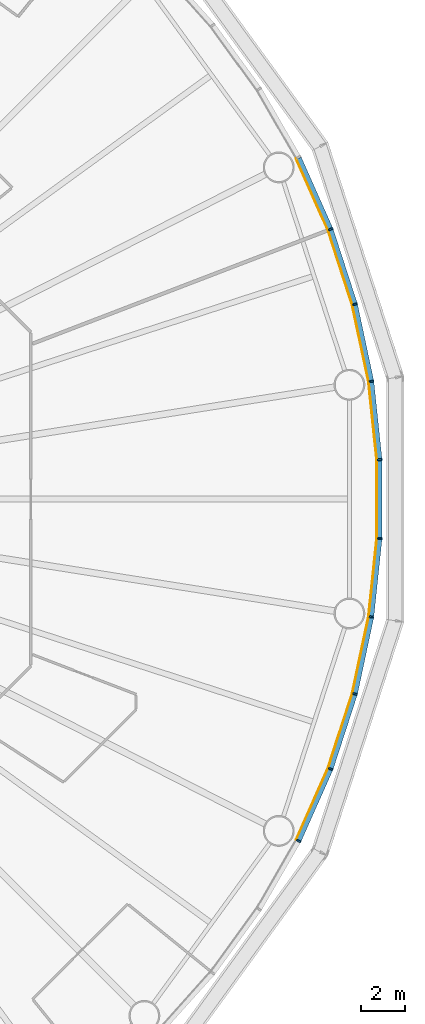
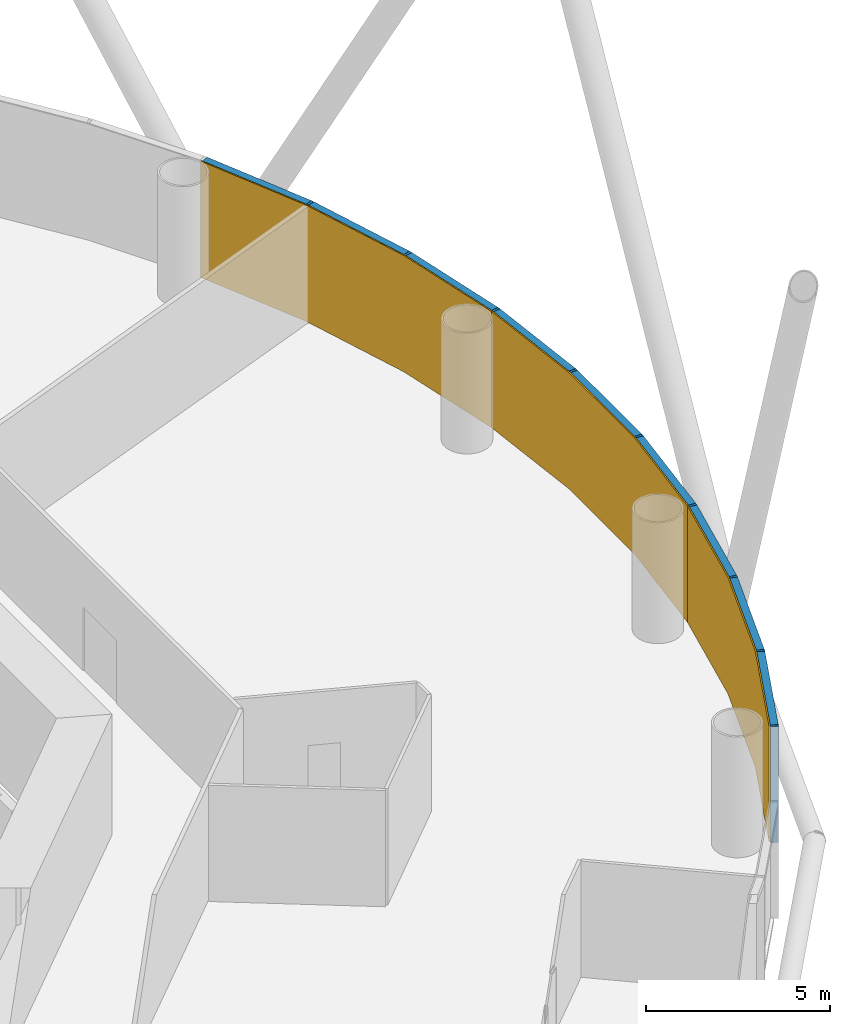
# One storey, part 11 of 13: 18 members, 3 curtain walls.
"""IFC4 building model written with IfcOpenShell, lengths in metres."""

from ifc_helpers import new_model, si_unit, direction, frame, origin, origin_2d, place, context, subcontext, project, spatial, polyline, rectangle, outline, extrude, material, layer, layer_set, material_profile, profile_set, type_object, element, aggregate, save


model = new_model("IFC4")

# Units and contexts
model_context = context("Model", 3, precision=1e-05, world=origin(), true_north=direction((0.0, 1.0)))
body_context = subcontext(model_context, "Body", "Model", "MODEL_VIEW")
ifc_project = project(units=[si_unit("LENGTHUNIT", "METRE"), si_unit("AREAUNIT", "SQUARE_METRE"), si_unit("VOLUMEUNIT", "CUBIC_METRE"), si_unit("PLANEANGLEUNIT", "RADIAN"), si_unit("MASSUNIT", "GRAM", prefix="KILO")], contexts=[model_context])

# Member
ifc_material_1 = material(Name="Anodised aluminium", Category="aluminium")
ifc_material_profile_1 = material_profile(ifc_material_1, rectangle(XDim=0.074951171875, YDim=0.219970703125, at=origin_2d()), Name="Mullion 75 x 220 mm anodised aluminium")
ifc_profile_set_1 = profile_set([ifc_material_profile_1], Name="Anodised aluminium")
member_type_1 = type_object("IfcMemberType", Name="Mullion 75 x 220 mm anodised aluminium", PredefinedType="MULLION", material=ifc_profile_set_1)
site_placement = place(None, origin())
building_placement = place(site_placement, origin())
storey_placement = place(building_placement, frame((0.0, 0.0, 54.0)))
member_1_placement = place(storey_placement, frame((123.68994140625, 85.3359375, 0.0), z_axis=(0.0, 0.0, 1.0), x_axis=(-0.15643446504, 0.987688340595, 0.0)))
member_1 = element("IfcMember", 1, at=member_1_placement, type_object=member_type_1, Name="MULLION L11-00", PredefinedType="MULLION", context=body_context, shape_type="SweptSolid", body=[
    extrude(rectangle(XDim=0.074951171875, YDim=0.219970703125, at=origin_2d()), origin(), (0.0, 0.0, 1.0), 3.85009765625),
])

member_2_placement = place(storey_placement, frame((122.94775390625, 88.828369140625, 0.0), z_axis=(0.0, 0.0, 1.0), x_axis=(-0.258819045103, 0.965925826289, 0.0)))
member_2 = element("IfcMember", 2, at=member_2_placement, type_object=member_type_1, Name="MULLION L11-01", PredefinedType="MULLION", context=body_context, shape_type="SweptSolid", body=[
    extrude(rectangle(XDim=0.074951171875, YDim=0.219970703125, at=origin_2d()), origin(), (0.0, 0.0, 1.0), 3.85009765625),
])

member_3_placement = place(storey_placement, frame((121.844482421875, 92.223876953125, 0.0), z_axis=(0.0, 0.0, 1.0), x_axis=(-0.358367949545, 0.933580426497, 0.0)))
member_3 = element("IfcMember", 3, at=member_3_placement, type_object=member_type_1, Name="MULLION L11-02", PredefinedType="MULLION", context=body_context, shape_type="SweptSolid", body=[
    extrude(rectangle(XDim=0.074951171875, YDim=0.219970703125, at=origin_2d()), origin(), (0.0, 0.0, 1.0), 3.85009765625),
])

member_4_placement = place(storey_placement, frame((120.392333984375, 64.514404296875, 0.0), z_axis=(0.0, 0.0, 1.0), x_axis=(0.45399049974, 0.891006524188, 0.0)))
member_4 = element("IfcMember", 4, at=member_4_placement, type_object=member_type_1, Name="MULLION L11-54", PredefinedType="MULLION", context=body_context, shape_type="SweptSolid", body=[
    extrude(rectangle(XDim=0.074951171875, YDim=0.219970703125, at=origin_2d()), origin(), (0.0, 0.0, 1.0), 3.85009765625),
])

member_5_placement = place(storey_placement, frame((121.844482421875, 67.776123046875, 0.0), z_axis=(0.0, 0.0, 1.0), x_axis=(0.358367949545, 0.933580426497, 0.0)))
member_5 = element("IfcMember", 5, at=member_5_placement, type_object=member_type_1, Name="MULLION L11-55", PredefinedType="MULLION", context=body_context, shape_type="SweptSolid", body=[
    extrude(rectangle(XDim=0.074951171875, YDim=0.219970703125, at=origin_2d()), origin(), (0.0, 0.0, 1.0), 3.85009765625),
])

member_6_placement = place(storey_placement, frame((122.94775390625, 71.171630859375, 0.0), z_axis=(0.0, 0.0, 1.0), x_axis=(0.258819045103, 0.965925826289, 0.0)))
member_6 = element("IfcMember", 6, at=member_6_placement, type_object=member_type_1, Name="MULLION L11-56", PredefinedType="MULLION", context=body_context, shape_type="SweptSolid", body=[
    extrude(rectangle(XDim=0.074951171875, YDim=0.219970703125, at=origin_2d()), origin(), (0.0, 0.0, 1.0), 3.85009765625),
])

member_7_placement = place(storey_placement, frame((123.68994140625, 74.6640625, 0.0), z_axis=(0.0, 0.0, 1.0), x_axis=(0.15643446504, 0.987688340595, 0.0)))
member_7 = element("IfcMember", 7, at=member_7_placement, type_object=member_type_1, Name="MULLION L11-57", PredefinedType="MULLION", context=body_context, shape_type="SweptSolid", body=[
    extrude(rectangle(XDim=0.074951171875, YDim=0.219970703125, at=origin_2d()), origin(), (0.0, 0.0, 1.0), 3.85009765625),
])

member_8_placement = place(storey_placement, frame((124.063232421875, 78.21484375, 0.0), z_axis=(0.0, 0.0, 1.0), x_axis=(0.052335956243, 0.998629534755, 0.0)))
member_8 = element("IfcMember", 8, at=member_8_placement, type_object=member_type_1, Name="MULLION L11-58", PredefinedType="MULLION", context=body_context, shape_type="SweptSolid", body=[
    extrude(rectangle(XDim=0.074951171875, YDim=0.219970703125, at=origin_2d()), origin(), (0.0, 0.0, 1.0), 3.85009765625),
])

member_9_placement = place(storey_placement, frame((124.063232421875, 81.78515625, 0.0), z_axis=(0.0, 0.0, 1.0), x_axis=(-0.052335956243, 0.998629534755, 0.0)))
member_9 = element("IfcMember", 9, at=member_9_placement, type_object=member_type_1, Name="MULLION L11-59", PredefinedType="MULLION", context=body_context, shape_type="SweptSolid", body=[
    extrude(rectangle(XDim=0.074951171875, YDim=0.219970703125, at=origin_2d()), origin(), (0.0, 0.0, 1.0), 3.85009765625),
])

ifc_material_2 = material(Name="Anodised aluminium", Category="aluminium")
ifc_material_profile_2 = material_profile(ifc_material_2, rectangle(XDim=0.219970703125, YDim=0.199951171875, at=origin_2d()), Name="Transom 200 x 220 mm anodised aluminium")
ifc_profile_set_2 = profile_set([ifc_material_profile_2], Name="Anodised aluminium")
member_type_2 = type_object("IfcMemberType", Name="Transom 200 x 220 mm anodised aluminium", PredefinedType="USERDEFINED", material=ifc_profile_set_2)
member_10_placement = place(storey_placement, frame((123.68115234375, 85.37841796875, 3.75), z_axis=(-0.207920776701, 0.978145669426, 0.0), x_axis=(-0.978145669426, -0.207920776701, 0.0)))
member_10 = element("IfcMember", 10, at=member_10_placement, type_object=member_type_2, Name="TRANSOM L11-00", ObjectType="TRANSOM", PredefinedType="USERDEFINED", context=body_context, shape_type="SweptSolid", body=[
    extrude(rectangle(XDim=0.219970703125, YDim=0.199951171875, at=origin_2d()), origin(), (0.0, 0.0, 1.0), 3.48388671875),
])

member_11_placement = place(storey_placement, frame((122.9345703125, 88.869384765625, 3.75), z_axis=(-0.309029029702, 0.951052605696, 0.0), x_axis=(-0.951052605696, -0.309029029702, 0.0)))
member_11 = element("IfcMember", 11, at=member_11_placement, type_object=member_type_2, Name="TRANSOM L11-01", ObjectType="TRANSOM", PredefinedType="USERDEFINED", context=body_context, shape_type="SweptSolid", body=[
    extrude(rectangle(XDim=0.219970703125, YDim=0.199951171875, at=origin_2d()), origin(), (0.0, 0.0, 1.0), 3.484130859375),
])

member_12_placement = place(storey_placement, frame((121.826904296875, 92.263427734375, 3.75), z_axis=(-0.406736576304, 0.913545487371, 0.0), x_axis=(-0.913545487371, -0.406736576304, 0.0)))
member_12 = element("IfcMember", 12, at=member_12_placement, type_object=member_type_2, Name="TRANSOM L11-02", ObjectType="TRANSOM", PredefinedType="USERDEFINED", context=body_context, shape_type="SweptSolid", body=[
    extrude(rectangle(XDim=0.219970703125, YDim=0.199951171875, at=origin_2d()), origin(), (0.0, 0.0, 1.0), 3.48388671875),
])

member_13_placement = place(storey_placement, frame((120.409912109375, 64.553955078125, 3.75), z_axis=(0.406736576304, 0.913545487371, 0.0), x_axis=(-0.913545487371, 0.406736576304, 0.0)))
member_13 = element("IfcMember", 13, at=member_13_placement, type_object=member_type_2, Name="TRANSOM L11-54", ObjectType="TRANSOM", PredefinedType="USERDEFINED", context=body_context, shape_type="SweptSolid", body=[
    extrude(rectangle(XDim=0.219970703125, YDim=0.199951171875, at=origin_2d()), origin(), (0.0, 0.0, 1.0), 3.48388671875),
])

member_14_placement = place(storey_placement, frame((121.85791015625, 67.817138671875, 3.75), z_axis=(0.309029029702, 0.951052605696, 0.0), x_axis=(-0.951052605696, 0.309029029702, 0.0)))
member_14 = element("IfcMember", 14, at=member_14_placement, type_object=member_type_2, Name="TRANSOM L11-55", ObjectType="TRANSOM", PredefinedType="USERDEFINED", context=body_context, shape_type="SweptSolid", body=[
    extrude(rectangle(XDim=0.219970703125, YDim=0.199951171875, at=origin_2d()), origin(), (0.0, 0.0, 1.0), 3.484130859375),
])

member_15_placement = place(storey_placement, frame((122.956787109375, 71.2138671875, 3.75), z_axis=(0.207920776701, 0.978145669426, 0.0), x_axis=(-0.978145669426, 0.207920776701, 0.0)))
member_15 = element("IfcMember", 15, at=member_15_placement, type_object=member_type_2, Name="TRANSOM L11-56", ObjectType="TRANSOM", PredefinedType="USERDEFINED", context=body_context, shape_type="SweptSolid", body=[
    extrude(rectangle(XDim=0.219970703125, YDim=0.199951171875, at=origin_2d()), origin(), (0.0, 0.0, 1.0), 3.48388671875),
])

member_16_placement = place(storey_placement, frame((123.69482421875, 74.70703125, 3.75), z_axis=(0.104484152234, 0.994526551648, 0.0), x_axis=(-0.994526551648, 0.104484152234, 0.0)))
member_16 = element("IfcMember", 16, at=member_16_placement, type_object=member_type_2, Name="TRANSOM L11-57", ObjectType="TRANSOM", PredefinedType="USERDEFINED", context=body_context, shape_type="SweptSolid", body=[
    extrude(rectangle(XDim=0.219970703125, YDim=0.199951171875, at=origin_2d()), origin(), (0.0, 0.0, 1.0), 3.48388671875),
])

member_17_placement = place(storey_placement, frame((124.0634765625, 78.258056640625, 3.75), z_axis=(0.0, 1.0, 0.0), x_axis=(-1.0, 0.0, 0.0)))
member_17 = element("IfcMember", 17, at=member_17_placement, type_object=member_type_2, Name="TRANSOM L11-58", ObjectType="TRANSOM", PredefinedType="USERDEFINED", context=body_context, shape_type="SweptSolid", body=[
    extrude(rectangle(XDim=0.219970703125, YDim=0.199951171875, at=origin_2d()), origin(), (0.0, 0.0, 1.0), 3.48388671875),
])

member_18_placement = place(storey_placement, frame((124.058837890625, 81.828125, 3.75), z_axis=(-0.104484152234, 0.994526551648, 0.0), x_axis=(-0.994526551648, -0.104484152234, 0.0)))
member_18 = element("IfcMember", 18, at=member_18_placement, type_object=member_type_2, Name="TRANSOM L11-59", ObjectType="TRANSOM", PredefinedType="USERDEFINED", context=body_context, shape_type="SweptSolid", body=[
    extrude(rectangle(XDim=0.219970703125, YDim=0.199951171875, at=origin_2d()), origin(), (0.0, 0.0, 1.0), 3.48388671875),
])

# Site, building, storey
site = spatial("IfcSite", under=ifc_project, at=site_placement, CompositionType="ELEMENT")
building = spatial("IfcBuilding", under=site, at=building_placement, Name="Entoto Ring Tower", CompositionType="ELEMENT")
storey = spatial("IfcBuildingStorey", under=building, at=storey_placement, Name="L11", CompositionType="ELEMENT", Elevation=54.0)

# Curtain wall
ifc_material_3 = material(Name="Clear low-iron glass", Category="glass")
ifc_layer = layer(ifc_material_3, 0.0400390625)
ifc_layer_set = layer_set([ifc_layer], Name="Clear low-iron glass")
curtain_wall_type = type_object("IfcCurtainWallType", Name="Curtain wall system CW1 glazing 40 mm", PredefinedType="NOTDEFINED", material=ifc_layer_set)
curtain_wall_1_placement = place(storey_placement, origin())
curtain_wall_1 = element("IfcCurtainWall", 19, at=curtain_wall_1_placement, inside=storey, type_object=curtain_wall_type, Name="CW1 L11-01", PredefinedType="NOTDEFINED", context=body_context, shape_type="SweptSolid", body=[
    extrude(outline(polyline([(123.581298828125, 85.31884765625), (122.841552734375, 88.7998046875), (121.74169921875, 92.1845703125), (120.294189453125, 95.435791015625), (120.258544921875, 95.41748046875), (121.704345703125, 92.170166015625), (122.802734375, 88.78955078125), (123.541748046875, 85.3125), (123.581298828125, 85.31884765625)])), origin(), (0.0, 0.0, 1.0), 3.85009765625),
])

aggregate(curtain_wall_1, [member_1, member_2, member_3, member_10, member_11, member_12])

curtain_wall_2_placement = place(storey_placement, origin())
curtain_wall_2 = element("IfcCurtainWall", 20, at=curtain_wall_2_placement, inside=storey, type_object=curtain_wall_type, Name="CW1 L11-19", PredefinedType="NOTDEFINED", context=body_context, shape_type="SweptSolid", body=[
    extrude(outline(polyline([(120.294189453125, 64.564208984375), (121.74169921875, 67.8154296875), (122.841552734375, 71.2001953125), (123.581298828125, 74.68115234375), (123.541748046875, 74.6875), (122.802734375, 71.21044921875), (121.704345703125, 67.829833984375), (120.258544921875, 64.58251953125), (120.294189453125, 64.564208984375)])), origin(), (0.0, 0.0, 1.0), 3.85009765625),
])

aggregate(curtain_wall_2, [member_4, member_5, member_6, member_13, member_14, member_15])

curtain_wall_3_placement = place(storey_placement, origin())
curtain_wall_3 = element("IfcCurtainWall", 21, at=curtain_wall_3_placement, inside=storey, type_object=curtain_wall_type, Name="CW1 L11-20", PredefinedType="NOTDEFINED", context=body_context, shape_type="SweptSolid", body=[
    extrude(outline(polyline([(123.581298828125, 74.68115234375), (123.953369140625, 78.220458984375), (123.953369140625, 81.779541015625), (123.581298828125, 85.31884765625), (123.541748046875, 85.3125), (123.913330078125, 81.77734375), (123.913330078125, 78.22265625), (123.541748046875, 74.6875), (123.581298828125, 74.68115234375)])), origin(), (0.0, 0.0, 1.0), 3.85009765625),
])

aggregate(curtain_wall_3, [member_7, member_8, member_9, member_16, member_17, member_18])

save(model, "model.ifc")
